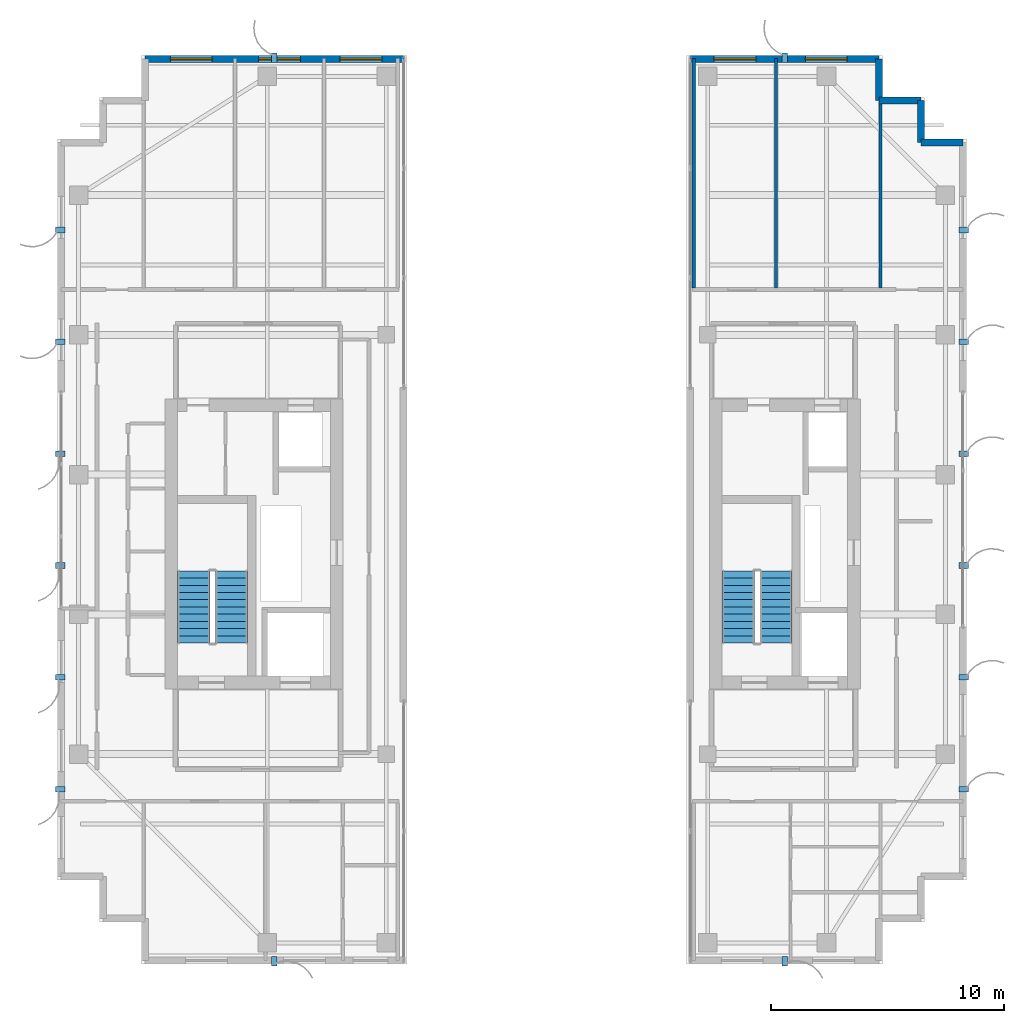
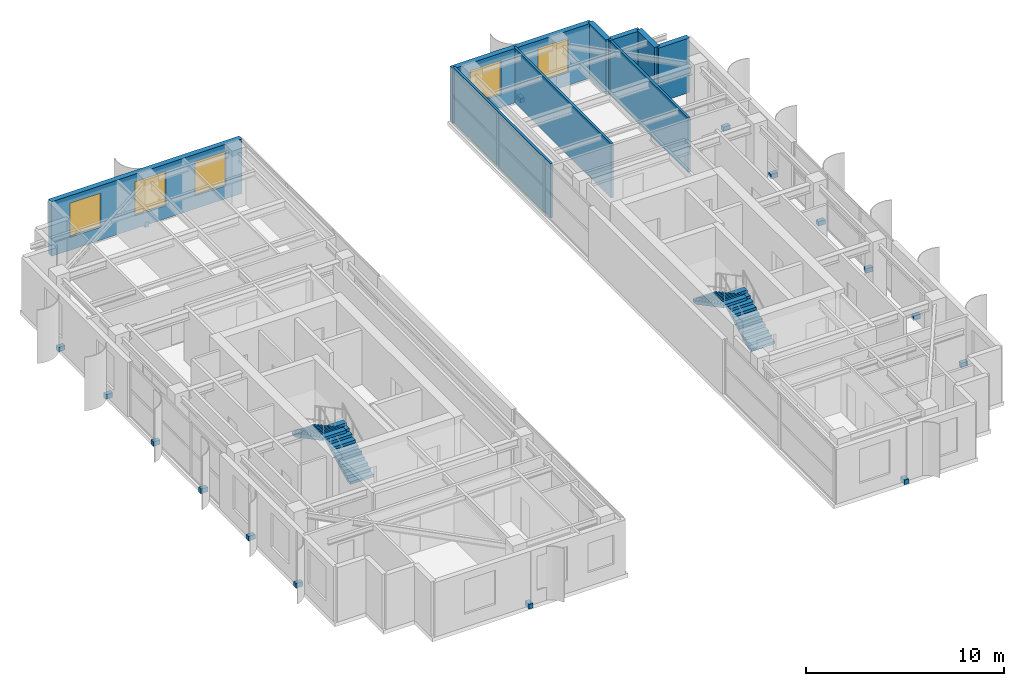
# One storey, part 21 of 24: 16 discrete accessories, 9 walls, 5 windows, 4 stair flights, 5 openings, 2 elements without a shape of their own.
"""IFC4 building model written with IfcOpenShell, lengths in metres."""

from ifc_helpers import new_model, si_unit, direction, frame, frame_2d, origin, origin_2d, place, context, subcontext, project, spatial, polyline, rectangle, outline, extrude, source, transform, mapped, material, layer, layer_set, type_object, element, fill, aggregate, save


model = new_model("IFC4")

# Units and contexts
model_context = context("Model", 3, precision=1e-05, world=origin(), true_north=direction((0.0, 1.0)))
body_context = subcontext(model_context, "Body", "Model", "MODEL_VIEW")
ifc_project = project(units=[si_unit("LENGTHUNIT", "METRE"), si_unit("AREAUNIT", "SQUARE_METRE"), si_unit("VOLUMEUNIT", "CUBIC_METRE"), si_unit("PLANEANGLEUNIT", "RADIAN"), si_unit("MASSUNIT", "GRAM", prefix="KILO")], contexts=[model_context])

# Site, building, storey
site_placement = place(None, origin())
site = spatial("IfcSite", under=ifc_project, at=site_placement, CompositionType="ELEMENT")
building_placement = place(site_placement, origin())
building = spatial("IfcBuilding", under=site, at=building_placement, Name="Khoralis Quay Care Tower", CompositionType="ELEMENT")
storey_placement = place(building_placement, frame((0.0, 0.0, 234.89990234375)))
storey = spatial("IfcBuildingStorey", under=building, at=storey_placement, Name="L61", CompositionType="ELEMENT", Elevation=234.89990234375)

# Wall, openings, windows
ifc_material_1 = material(Name="Precast concrete C45/55", Category="concrete")
ifc_layer_1 = layer(ifc_material_1, 0.300048828125)
ifc_layer_set_1 = layer_set([ifc_layer_1], Name="Precast concrete C45/55")
wall_type_1 = type_object("IfcWallType", Name="WL-EXT-REF-300", PredefinedType="SOLIDWALL", material=ifc_layer_set_1)
wall_1_placement = place(storey_placement, frame((17.85009765625, 41.85009765625, 0.0), z_axis=(0.0, 0.0, 1.0), x_axis=(-1.0, 0.0, 0.0)))
wall_1 = element("IfcWall", 1, at=wall_1_placement, inside=storey, type_object=wall_type_1, Name="L61 External Facade Wall WL-EXT-L61-P1-E2", PredefinedType="SOLIDWALL", context=body_context, shape_type="SweptSolid", body=[
    extrude(rectangle(XDim=11.10009765625, YDim=0.300048828125, at=frame_2d((5.550048828125, 0.0))), origin(), (0.0, 0.0, 1.0), 3.360107421875),
])
opening_1_placement = place(wall_1_placement, frame((0.93505859375, 0.0, 0.800048828125)))
opening_1 = element("IfcOpeningElement", 2, at=opening_1_placement, cuts=wall_1, Name="Opening W2", PredefinedType="OPENING", context=body_context, shape_type="SweptSolid", body=[
    extrude(rectangle(XDim=1.800048828125, YDim=2.10009765625, at=frame_2d((0.89990234375, 1.050048828125))), frame((0.0, 0.16015625, 0.0), z_axis=(0.0, -1.0, 0.0), x_axis=(1.0, 0.0, 0.0)), (0.0, 0.0, 1.0), 0.320068359375),
])
opening_2_placement = place(wall_1_placement, frame((4.429931640625, 0.0, 0.800048828125)))
opening_2 = element("IfcOpeningElement", 3, at=opening_2_placement, cuts=wall_1, Name="Opening W2", PredefinedType="OPENING", context=body_context, shape_type="SweptSolid", body=[
    extrude(rectangle(XDim=1.800048828125, YDim=2.10009765625, at=frame_2d((0.89990234375, 1.050048828125))), frame((0.0, 0.16015625, 0.0), z_axis=(0.0, -1.0, 0.0), x_axis=(1.0, 0.0, 0.0)), (0.0, 0.0, 1.0), 0.320068359375),
])
opening_3_placement = place(wall_1_placement, frame((8.219970703125, 0.0, 0.800048828125)))
opening_3 = element("IfcOpeningElement", 4, at=opening_3_placement, cuts=wall_1, Name="Opening W2", PredefinedType="OPENING", context=body_context, shape_type="SweptSolid", body=[
    extrude(rectangle(XDim=1.800048828125, YDim=2.10009765625, at=frame_2d((0.89990234375, 1.050048828125))), frame((0.0, 0.16015625, 0.0), z_axis=(0.0, -1.0, 0.0), x_axis=(1.0, 0.0, 0.0)), (0.0, 0.0, 1.0), 0.320068359375),
])
ifc_material_2 = material(Name="Low-E solar-control double glazing", Category="glass")
window_type = type_object("IfcWindowType", Name="WN-POD-1800X2100", PartitioningType="SINGLE_PANEL", PredefinedType="WINDOW", material=ifc_material_2)
shared_shape_1 = source(origin(), body_context, "Body", "SweptSolid", [
    extrude(rectangle(XDim=1.800048828125, YDim=2.10009765625, at=frame_2d((0.89990234375, 1.050048828125))), frame((0.0, 0.030029296875, 0.0), z_axis=(0.0, -1.0, 0.0), x_axis=(1.0, 0.0, 0.0)), (0.0, 0.0, 1.0), 0.06005859375),
])
window_1_placement = place(opening_1_placement, origin())
window_1 = element("IfcWindow", 5, at=window_1_placement, inside=storey, type_object=window_type, Name="WN-L61-P1-E2 Facade Window 01", OverallHeight=2.10009765625, OverallWidth=1.800048828125, PartitioningType="SINGLE_PANEL", PredefinedType="WINDOW", context=body_context, shape_type="MappedRepresentation", body=[
    mapped(shared_shape_1, transform((0.0, 0.0, 0.0), scale=1.0)),
])
fill(opening_1, window_1)
window_2_placement = place(opening_2_placement, origin())
window_2 = element("IfcWindow", 6, at=window_2_placement, inside=storey, type_object=window_type, Name="WN-L61-P1-E2 Facade Window 02", OverallHeight=2.10009765625, OverallWidth=1.800048828125, PartitioningType="SINGLE_PANEL", PredefinedType="WINDOW", context=body_context, shape_type="MappedRepresentation", body=[
    mapped(shared_shape_1, transform((0.0, 0.0, 0.0), scale=1.0)),
])
fill(opening_2, window_2)
window_3_placement = place(opening_3_placement, origin())
window_3 = element("IfcWindow", 7, at=window_3_placement, inside=storey, type_object=window_type, Name="WN-L61-P1-E2 Facade Window 03", OverallHeight=2.10009765625, OverallWidth=1.800048828125, PartitioningType="SINGLE_PANEL", PredefinedType="WINDOW", context=body_context, shape_type="MappedRepresentation", body=[
    mapped(shared_shape_1, transform((0.0, 0.0, 0.0), scale=1.0)),
])
fill(opening_3, window_3)

# Walls
for number, where, z_axis, x_axis, name in (
    (8, (41.85009765625, 38.25, 0.0), (0.0, 0.0, 1.0), (-1.0, 0.0, 0.0), "L61 External Facade Wall WL-EXT-L61-P2-C6"),
    (9, (40.050048828125, 38.25, 0.0), (0.0, 0.0, 1.0), (0.0, 1.0, 0.0), "L61 External Facade Wall WL-EXT-L61-P2-C7"),
    (10, (40.050048828125, 40.050048828125, 0.0), (0.0, 0.0, 1.0), (-1.0, 0.0, 0.0), "L61 External Facade Wall WL-EXT-L61-P2-C8"),
    (11, (38.25, 40.050048828125, 0.0), (0.0, 0.0, 1.0), (0.0, 1.0, 0.0), "L61 External Facade Wall WL-EXT-L61-P2-C9"),
):
    element("IfcWall", number, at=place(storey_placement, frame(where, z_axis=z_axis, x_axis=x_axis)), inside=storey, type_object=wall_type_1, Name=name, PredefinedType="SOLIDWALL", context=body_context, shape_type="SweptSolid", body=[
        extrude(rectangle(XDim=1.800048828125, YDim=0.300048828125, at=frame_2d((0.89990234375, 0.0))), origin(), (0.0, 0.0, 1.0), 3.360107421875),
    ])

# Wall, openings, windows
wall_2_placement = place(storey_placement, frame((38.25, 41.85009765625, 0.0), z_axis=(0.0, 0.0, 1.0), x_axis=(-1.0, 0.0, 0.0)))
wall_2 = element("IfcWall", 12, at=wall_2_placement, inside=storey, type_object=wall_type_1, Name="L61 External Facade Wall WL-EXT-L61-P2-E10", PredefinedType="SOLIDWALL", context=body_context, shape_type="SweptSolid", body=[
    extrude(rectangle(XDim=8.10009765625, YDim=0.300048828125, at=frame_2d((4.050048828125, 0.0))), origin(), (0.0, 0.0, 1.0), 3.360107421875),
])
opening_4_placement = place(wall_2_placement, frame((1.360107421875, 0.0, 0.800048828125)))
opening_4 = element("IfcOpeningElement", 13, at=opening_4_placement, cuts=wall_2, Name="Opening W2", PredefinedType="OPENING", context=body_context, shape_type="SweptSolid", body=[
    extrude(rectangle(XDim=1.800048828125, YDim=2.10009765625, at=frame_2d((0.89990234375, 1.050048828125))), frame((0.0, 0.16015625, 0.0), z_axis=(0.0, -1.0, 0.0), x_axis=(1.0, 0.0, 0.0)), (0.0, 0.0, 1.0), 0.320068359375),
])
opening_5_placement = place(wall_2_placement, frame((5.284912109375, 0.0, 0.800048828125)))
opening_5 = element("IfcOpeningElement", 14, at=opening_5_placement, cuts=wall_2, Name="Opening W2", PredefinedType="OPENING", context=body_context, shape_type="SweptSolid", body=[
    extrude(rectangle(XDim=1.800048828125, YDim=2.10009765625, at=frame_2d((0.89990234375, 1.050048828125))), frame((0.0, 0.16015625, 0.0), z_axis=(0.0, -1.0, 0.0), x_axis=(1.0, 0.0, 0.0)), (0.0, 0.0, 1.0), 0.320068359375),
])
window_4_placement = place(opening_4_placement, origin())
window_4 = element("IfcWindow", 15, at=window_4_placement, inside=storey, type_object=window_type, Name="WN-L61-P2-E10 Facade Window 01", OverallHeight=2.10009765625, OverallWidth=1.800048828125, PartitioningType="SINGLE_PANEL", PredefinedType="WINDOW", context=body_context, shape_type="MappedRepresentation", body=[
    mapped(shared_shape_1, transform((0.0, 0.0, 0.0), scale=1.0)),
])
fill(opening_4, window_4)
window_5_placement = place(opening_5_placement, origin())
window_5 = element("IfcWindow", 16, at=window_5_placement, inside=storey, type_object=window_type, Name="WN-L61-P2-E10 Facade Window 02", OverallHeight=2.10009765625, OverallWidth=1.800048828125, PartitioningType="SINGLE_PANEL", PredefinedType="WINDOW", context=body_context, shape_type="MappedRepresentation", body=[
    mapped(shared_shape_1, transform((0.0, 0.0, 0.0), scale=1.0)),
])
fill(opening_5, window_5)

# Walls
ifc_material_3 = material(Name="Gypsum plasterboard on acoustic metal stud")
ifc_layer_2 = layer(ifc_material_3, 0.139892578125)
ifc_layer_set_2 = layer_set([ifc_layer_2], Name="Gypsum plasterboard on acoustic metal stud")
wall_type_2 = type_object("IfcWallType", Name="WL-UNIT-140", PredefinedType="PARTITIONING", material=ifc_layer_set_2)
for number, where, z_axis, x_axis, name in (
    (17, (30.300048828125, 32.017578125, 0.0), (0.0, 0.0, 1.0), (0.0, 1.0, 0.0), "L61 EN Demising Wall 0"),
    (18, (33.830078125, 32.017578125, 0.0), (0.0, 0.0, 1.0), (0.0, 1.0, 0.0), "L61 EN Demising Wall 1"),
):
    element("IfcWall", number, at=place(storey_placement, frame(where, z_axis=z_axis, x_axis=x_axis)), inside=storey, type_object=wall_type_2, Name=name, PredefinedType="PARTITIONING", context=body_context, shape_type="SweptSolid", body=[
        extrude(rectangle(XDim=9.83740234375, YDim=0.139892578125, at=frame_2d((4.918701171875, 0.0))), origin(), (0.0, 0.0, 1.0), 3.360107421875),
    ])
wall_3_placement = place(storey_placement, frame((38.320068359375, 32.017578125, 0.0), z_axis=(0.0, 0.0, 1.0), x_axis=(0.0, 1.0, 0.0)))
element("IfcWall", 19, at=wall_3_placement, inside=storey, type_object=wall_type_2, Name="L61 EN Demising Wall 2", PredefinedType="PARTITIONING", context=body_context, shape_type="SweptSolid", body=[
    extrude(rectangle(XDim=8.037353515625, YDim=0.139892578125, at=frame_2d((4.0185546875, 0.0))), origin(), (0.0, 0.0, 1.0), 3.360107421875),
])

# Stair, stair flights
stair_type = type_object("IfcStairType", Name="ST-TWR-DOGLEG-1400", PredefinedType="HALF_TURN_STAIR", material=ifc_material_1)
stair_1_placement = place(storey_placement, origin())
stair_1 = element("IfcStair", 20, at=stair_1_placement, inside=storey, type_object=stair_type, Name="L61 West Core Exit Stair ST-T1", PredefinedType="HALF_TURN_STAIR")
stair_flight_type = type_object("IfcStairFlightType", Name="SF-TWR-1400", PredefinedType="STRAIGHT", material=ifc_material_1)
shared_shape_2 = source(origin(), body_context, "Body", "SweptSolid", [
    extrude(outline(polyline([(0.0, 0.0), (0.0, 0.16357421875), (0.31005859375, 0.16357421875), (0.31005859375, 0.327392578125), (0.6201171875, 0.327392578125), (0.6201171875, 0.490966796875), (0.929931640625, 0.490966796875), (0.929931640625, 0.654541015625), (1.239990234375, 0.654541015625), (1.239990234375, 0.818115234375), (1.550048828125, 0.818115234375), (1.550048828125, 0.98193359375), (1.860107421875, 0.98193359375), (1.860107421875, 1.1455078125), (2.169921875, 1.1455078125), (2.169921875, 1.30908203125), (2.47998046875, 1.30908203125), (2.47998046875, 1.47265625), (2.7900390625, 1.47265625), (2.7900390625, 1.636474609375), (3.10009765625, 1.636474609375), (3.10009765625, 1.800048828125), (3.10009765625, 1.466796875), (0.321044921875, 0.0), (0.0, 0.0)])), frame((0.0, 0.68994140625, 0.0), z_axis=(0.0, -1.0, 0.0), x_axis=(1.0, 0.0, 0.0)), (0.0, 0.0, 1.0), 1.3798828125),
])
stair_flight_1_placement = place(storey_placement, frame((10.4599609375, 16.77001953125, 0.0), z_axis=(0.0, 0.0, 1.0), x_axis=(0.0, 1.0, 0.0)))
stair_flight_1 = element("IfcStairFlight", 21, at=stair_flight_1_placement, type_object=stair_flight_type, Name="ST-T1 flight 1", NumberOfRisers=11, NumberOfTreads=10, PredefinedType="STRAIGHT", RiserHeight=0.163636364, TreadLength=0.31, context=body_context, shape_type="MappedRepresentation", body=[
    mapped(shared_shape_2, transform((0.0, 0.0, 0.0), scale=1.0)),
])
stair_flight_2_placement = place(storey_placement, frame((8.840087890625, 19.8701171875, 1.800048828125), z_axis=(0.0, 0.0, 1.0), x_axis=(0.0, -1.0, 0.0)))
stair_flight_2 = element("IfcStairFlight", 22, at=stair_flight_2_placement, type_object=stair_flight_type, Name="ST-T1 flight 2", NumberOfRisers=11, NumberOfTreads=10, PredefinedType="STRAIGHT", RiserHeight=0.163636364, TreadLength=0.31, context=body_context, shape_type="MappedRepresentation", body=[
    mapped(shared_shape_2, transform((0.0, 0.0, 0.0), scale=1.0)),
])
aggregate(stair_1, [stair_flight_1, stair_flight_2])

stair_2_placement = place(storey_placement, origin())
stair_2 = element("IfcStair", 23, at=stair_2_placement, inside=storey, type_object=stair_type, Name="L61 East Core Exit Stair ST-T2", PredefinedType="HALF_TURN_STAIR")
stair_flight_3_placement = place(storey_placement, frame((33.830078125, 16.77001953125, 0.0), z_axis=(0.0, 0.0, 1.0), x_axis=(0.0, 1.0, 0.0)))
stair_flight_3 = element("IfcStairFlight", 24, at=stair_flight_3_placement, type_object=stair_flight_type, Name="ST-T2 flight 1", NumberOfRisers=11, NumberOfTreads=10, PredefinedType="STRAIGHT", RiserHeight=0.163636364, TreadLength=0.31, context=body_context, shape_type="MappedRepresentation", body=[
    mapped(shared_shape_2, transform((0.0, 0.0, 0.0), scale=1.0)),
])
stair_flight_4_placement = place(storey_placement, frame((32.2099609375, 19.8701171875, 1.800048828125), z_axis=(0.0, 0.0, 1.0), x_axis=(0.0, -1.0, 0.0)))
stair_flight_4 = element("IfcStairFlight", 25, at=stair_flight_4_placement, type_object=stair_flight_type, Name="ST-T2 flight 2", NumberOfRisers=11, NumberOfTreads=10, PredefinedType="STRAIGHT", RiserHeight=0.163636364, TreadLength=0.31, context=body_context, shape_type="MappedRepresentation", body=[
    mapped(shared_shape_2, transform((0.0, 0.0, 0.0), scale=1.0)),
])
aggregate(stair_2, [stair_flight_3, stair_flight_4])

# Discrete accessories
ifc_material_4 = material(Name="Brushed stainless steel", Category="steel")
discrete_accessory_type = type_object("IfcDiscreteAccessoryType", Name="ACC-FIN-BRACKET", PredefinedType="BRACKET", material=ifc_material_4)
shared_shape_3 = source(origin(), body_context, "Body", "SweptSolid", [
    extrude(rectangle(XDim=0.39990234375, YDim=0.239990234375, at=origin_2d()), origin(), (0.0, 0.0, 1.0), 0.280029296875),
])
for number, where, z_axis, x_axis, name in (
    (26, (12.300048828125, 3.110107421875, -0.1201171875), (0.0, 0.0, 1.0), (0.0, -1.0, 0.0), "L61 Solar Fin Bracket P1E0-01"),
    (27, (12.300048828125, 41.889892578125, -0.1201171875), (0.0, 0.0, 1.0), (0.0, 1.0, 0.0), "L61 Solar Fin Bracket P1E2-01"),
    (28, (3.110107421875, 34.5, -0.1201171875), (0.0, 0.0, 1.0), (-1.0, 0.0, 0.0), "L61 Solar Fin Bracket P1E7-01"),
    (29, (3.110107421875, 29.699951171875, -0.1201171875), (0.0, 0.0, 1.0), (-1.0, 0.0, 0.0), "L61 Solar Fin Bracket P1E7-02"),
    (30, (3.110107421875, 24.89990234375, -0.1201171875), (0.0, 0.0, 1.0), (-1.0, 0.0, 0.0), "L61 Solar Fin Bracket P1E7-03"),
    (31, (3.110107421875, 20.10009765625, -0.1201171875), (0.0, 0.0, 1.0), (-1.0, 0.0, 0.0), "L61 Solar Fin Bracket P1E7-04"),
    (32, (3.110107421875, 15.300048828125, -0.1201171875), (0.0, 0.0, 1.0), (-1.0, 0.0, 0.0), "L61 Solar Fin Bracket P1E7-05"),
    (33, (3.110107421875, 10.5, -0.1201171875), (0.0, 0.0, 1.0), (-1.0, 0.0, 0.0), "L61 Solar Fin Bracket P1E7-06"),
    (34, (34.199951171875, 3.110107421875, -0.1201171875), (0.0, 0.0, 1.0), (0.0, -1.0, 0.0), "L61 Solar Fin Bracket P2E0-01"),
    (35, (41.889892578125, 10.5, -0.1201171875), (0.0, 0.0, 1.0), (1.0, 0.0, 0.0), "L61 Solar Fin Bracket P2E5-01"),
    (36, (41.889892578125, 15.300048828125, -0.1201171875), (0.0, 0.0, 1.0), (1.0, 0.0, 0.0), "L61 Solar Fin Bracket P2E5-02"),
    (37, (41.889892578125, 20.10009765625, -0.1201171875), (0.0, 0.0, 1.0), (1.0, 0.0, 0.0), "L61 Solar Fin Bracket P2E5-03"),
    (38, (41.889892578125, 24.89990234375, -0.1201171875), (0.0, 0.0, 1.0), (1.0, 0.0, 0.0), "L61 Solar Fin Bracket P2E5-04"),
    (39, (41.889892578125, 29.699951171875, -0.1201171875), (0.0, 0.0, 1.0), (1.0, 0.0, 0.0), "L61 Solar Fin Bracket P2E5-05"),
    (40, (41.889892578125, 34.5, -0.1201171875), (0.0, 0.0, 1.0), (1.0, 0.0, 0.0), "L61 Solar Fin Bracket P2E5-06"),
    (41, (34.199951171875, 41.889892578125, -0.1201171875), (0.0, 0.0, 1.0), (0.0, 1.0, 0.0), "L61 Solar Fin Bracket P2E10-01"),
):
    element("IfcDiscreteAccessory", number, at=place(storey_placement, frame(where, z_axis=z_axis, x_axis=x_axis)), inside=storey, type_object=discrete_accessory_type, Name=name, PredefinedType="BRACKET", context=body_context, shape_type="MappedRepresentation", body=[
        mapped(shared_shape_3, transform((0.0, 0.0, 0.0), scale=1.0)),
    ])

save(model, "model.ifc")
